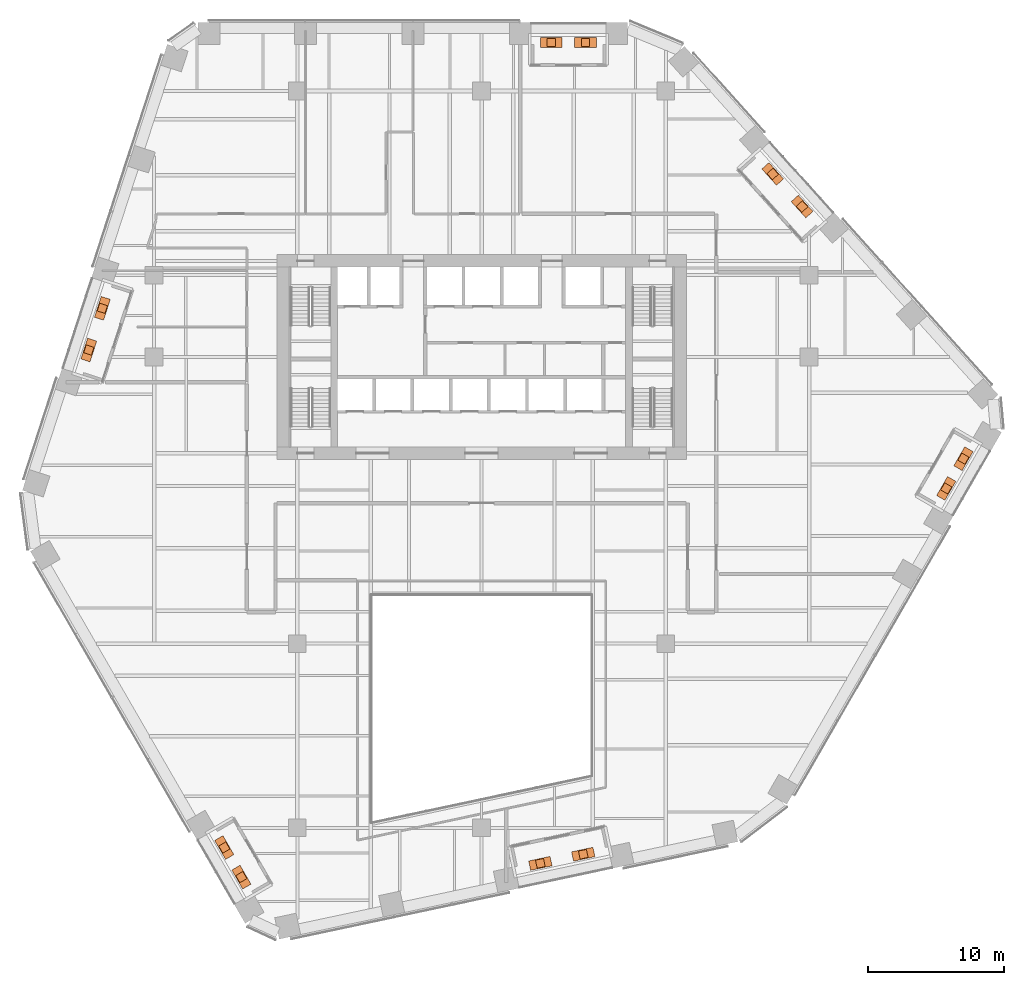
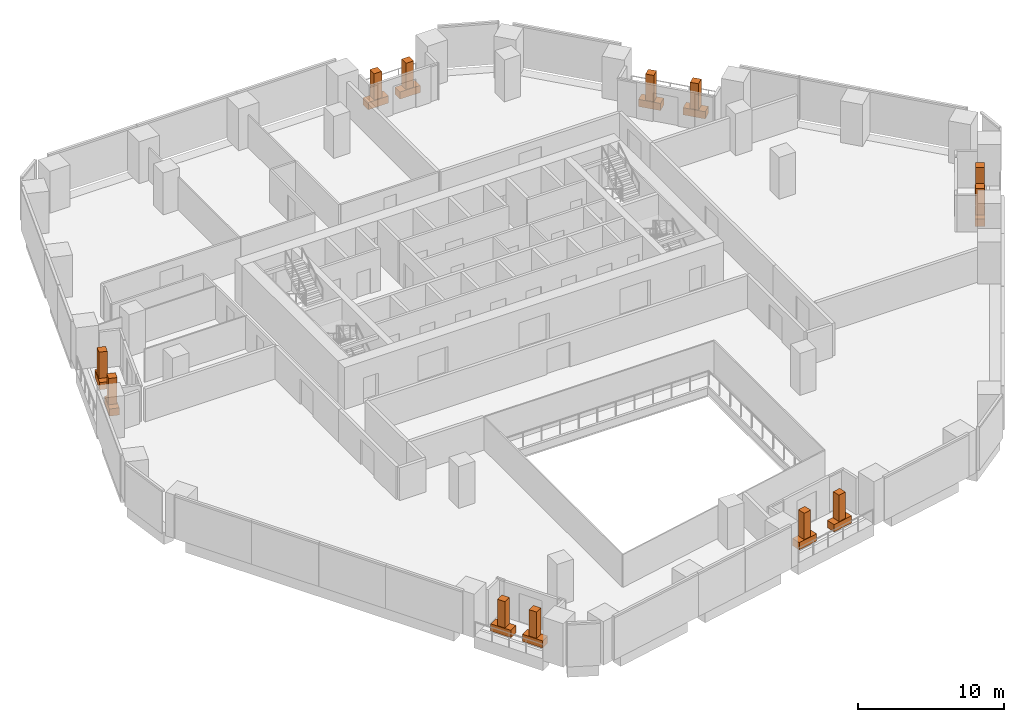
# One storey, part 28 of 28: 12 geographic elements, 12 proxies.
"""IFC4 building model written with IfcOpenShell, lengths in metres."""

import ifcopenshell
import ifcopenshell.guid

model = None  # the IFC model being written
_history = None  # IfcOwnerHistory: only IFC2X3 demands one
_inside = {}  # id of a spatial element -> (the spatial element, [elements in it])
_under = {}  # id of a project, library or spatial element -> (it, [spatial elements below it])
_declared = {}  # id of a project -> (the project, [libraries it declares])
_typed = {}  # id of a type object -> (the type object, [elements of that type])
_made_of = {}  # id of a material, layer set ... -> (it, [elements and type objects made of it])


def new_model(schema):
    """Start an empty IFC model of exactly this schema.

    Asked for "IFC4X3", IfcOpenShell would pick the latest addendum, in which some entities
    have other attributes; the version numbers below select the first issue.
    IFC2X3 requires an IfcOwnerHistory on every rooted entity: one is made here for all.
    """
    global model, _history
    if schema == "IFC4X3":
        model = ifcopenshell.file(schema_version=(4, 3, 0, 0))
    else:
        model = ifcopenshell.file(schema=schema)
    _inside.clear()
    _under.clear()
    _declared.clear()
    _typed.clear()
    _made_of.clear()
    _history = None
    if model.schema == "IFC2X3":
        org = make("IfcOrganization", Name="unknown")
        user = make(
            "IfcPersonAndOrganization",
            ThePerson=make("IfcPerson", FamilyName="unknown"),
            TheOrganization=org,
        )
        app = make(
            "IfcApplication",
            ApplicationDeveloper=org,
            Version="unknown",
            ApplicationFullName="unknown",
            ApplicationIdentifier="unknown",
        )
        _history = make(
            "IfcOwnerHistory",
            OwningUser=user,
            OwningApplication=app,
            ChangeAction="ADDED",
            CreationDate=0,
        )
    return model


def make(cls, **values):
    """One entity of the class cls with the attributes given. An attribute that is None is left unset."""
    return model.create_entity(
        cls, **{name: value for name, value in values.items() if value is not None}
    )


def rooted(cls, **values):
    """An entity with a GlobalId (a new one), such as an element, a storey or a relation."""
    return make(cls, GlobalId=ifcopenshell.guid.new(), OwnerHistory=_history, **values)


def si_unit(unit_type, name, prefix=None):
    """IfcSIUnit, for example si_unit("LENGTHUNIT", "METRE", prefix="MILLI")."""
    return make("IfcSIUnit", UnitType=unit_type, Prefix=prefix, Name=name)


def assignment(units):
    """IfcUnitAssignment: the units of a project."""
    return None if units is None else make("IfcUnitAssignment", Units=units)


def point(xyz):
    """IfcCartesianPoint."""
    return None if xyz is None else make("IfcCartesianPoint", Coordinates=xyz)


def direction(xyz):
    """IfcDirection."""
    return None if xyz is None else make("IfcDirection", DirectionRatios=xyz)


def frame(location, z_axis=None, x_axis=None):
    """IfcAxis2Placement3D, a coordinate frame: its origin and axes. An axis left out is left unset."""
    return make(
        "IfcAxis2Placement3D",
        Location=point(location),
        Axis=direction(z_axis),
        RefDirection=direction(x_axis),
    )


def frame_2d(location, x_axis=None):
    """IfcAxis2Placement2D, a coordinate frame in the plane: its origin and x axis."""
    return make(
        "IfcAxis2Placement2D", Location=point(location), RefDirection=direction(x_axis)
    )


def origin():
    """The frame at (0, 0, 0) with its axes left unset."""
    return frame((0.0, 0.0, 0.0))


def origin_2d():
    """The frame at (0, 0) in the plane with its x axis left unset."""
    return frame_2d((0.0, 0.0))


def place(relative_to, where):
    """IfcLocalPlacement: puts the frame where relative to a parent placement (None: the world)."""
    return make(
        "IfcLocalPlacement", PlacementRelTo=relative_to, RelativePlacement=where
    )


def context(
    kind, dimensions, precision=None, world=None, true_north=None, identifier=None
):
    """IfcGeometricRepresentationContext, for example the 3D "Model" context."""
    return make(
        "IfcGeometricRepresentationContext",
        ContextIdentifier=identifier,
        ContextType=kind,
        CoordinateSpaceDimension=dimensions,
        Precision=precision,
        WorldCoordinateSystem=world,
        TrueNorth=true_north,
    )


def subcontext(parent, identifier, kind, view, scale=None):
    """IfcGeometricRepresentationSubContext, for example "Body" below "Model"."""
    return make(
        "IfcGeometricRepresentationSubContext",
        ContextIdentifier=identifier,
        ContextType=kind,
        ParentContext=parent,
        TargetScale=scale,
        TargetView=view,
    )


def project(units=None, contexts=None):
    """IfcProject with its units and contexts."""
    return rooted(
        "IfcProject",
        Name="project",
        RepresentationContexts=contexts,
        UnitsInContext=assignment(units),
    )


def spatial(cls, under=None, at=None, **own):
    """A site, building, storey or space (cls), placed at a placement, below another one or the project."""
    s = rooted(cls, ObjectPlacement=at, **own)
    if under is not None:
        _under.setdefault(under.id(), (under, []))[1].append(s)
    return s


def profile(cls, at=None, kind="AREA", **sizes):
    """A parametric profile (cls). Its sizes go by their IFC names, for example OverallWidth=200.0."""
    return make(cls, ProfileType=kind, Position=at, **sizes)


def rectangle(**sizes):
    """IfcRectangleProfileDef."""
    return profile("IfcRectangleProfileDef", **sizes)


def extrude(swept, where, along, depth):
    """IfcExtrudedAreaSolid: the profile swept, set in the frame where, extruded along a direction by depth."""
    return make(
        "IfcExtrudedAreaSolid",
        SweptArea=swept,
        Position=where,
        ExtrudedDirection=direction(along),
        Depth=depth,
    )


def shape(context_of_items, identifier, shape_type, items):
    """IfcShapeRepresentation: the items that make up one representation, for example the "Body"."""
    return make(
        "IfcShapeRepresentation",
        ContextOfItems=context_of_items,
        RepresentationIdentifier=identifier,
        RepresentationType=shape_type,
        Items=items,
    )


def material(Name=None, Category=None):
    """IfcMaterial."""
    return make("IfcMaterial", Name=Name, Category=Category)


def made_of(thing, what):
    """Note that an element or type object is made of a material, layer set ...; save() writes the relation."""
    if what is not None:
        _made_of.setdefault(what.id(), (what, []))[1].append(thing)
    return thing


def type_object(cls, material=None, **own):
    """A type object (cls), such as IfcWallType, which elements share."""
    return made_of(rooted(cls, **own), material)


def element(
    cls,
    number,
    at=None,
    inside=None,
    cuts=None,
    type_object=None,
    material=None,
    context=None,
    identifier="Body",
    shape_type=None,
    held_by="IfcProductDefinitionShape",
    body=None,
    shapes=None,
    **own,
):
    """One element of the class cls, such as IfcWall. Its Tag is "e" and its number.

    at: its placement. inside: the storey or other place that contains it. cuts: it is an
    opening in that element (IfcRelVoidsElement). A single representation is given by context,
    identifier, shape_type and body (its items); several are given by shapes. held_by: the class
    of the entity that holds the representations. save() writes the other relations.
    """
    e = rooted(cls, Tag="e%d" % number, ObjectPlacement=at, **own)
    if body is not None:
        shapes = [shape(context, identifier, shape_type, body)]
    if shapes is not None:
        e.Representation = make(held_by, Representations=shapes)
    if inside is not None:
        _inside.setdefault(inside.id(), (inside, []))[1].append(e)
    if cuts is not None:
        rooted(
            "IfcRelVoidsElement", RelatingBuildingElement=cuts, RelatedOpeningElement=e
        )
    if type_object is not None:
        _typed.setdefault(type_object.id(), (type_object, []))[1].append(e)
    return made_of(e, material)


def aggregate(whole, parts):
    """IfcRelAggregates: a whole, such as a stair, and the parts it consists of."""
    return rooted("IfcRelAggregates", RelatingObject=whole, RelatedObjects=parts)


def save(model, path):
    """Write the relations noted so far, then the file.

    IfcRelAggregates (storeys below a building ...), IfcRelContainedInSpatialStructure (elements
    in a storey), IfcRelDefinesByType, IfcRelAssociatesMaterial and IfcRelDeclares: one each for
    every whole, place, type object, material and project.
    """
    for whole, parts in _under.values():
        aggregate(whole, parts)
    for where, things in _inside.values():
        rooted(
            "IfcRelContainedInSpatialStructure",
            RelatedElements=things,
            RelatingStructure=where,
        )
    for kind, things in _typed.values():
        rooted("IfcRelDefinesByType", RelatedObjects=things, RelatingType=kind)
    for what, things in _made_of.values():
        rooted("IfcRelAssociatesMaterial", RelatedObjects=things, RelatingMaterial=what)
    for by, libraries in _declared.values():
        rooted("IfcRelDeclares", RelatingContext=by, RelatedDefinitions=libraries)
    model.write(path)


model = new_model("IFC4")

# Units and contexts
model_context = context("Model", 3, precision=1e-05, world=origin(), true_north=direction((0.0, 1.0)))
body_context = subcontext(model_context, "Body", "Model", "MODEL_VIEW")
ifc_project = project(units=[si_unit("LENGTHUNIT", "METRE"), si_unit("AREAUNIT", "SQUARE_METRE"), si_unit("VOLUMEUNIT", "CUBIC_METRE"), si_unit("PLANEANGLEUNIT", "RADIAN"), si_unit("MASSUNIT", "GRAM", prefix="KILO")], contexts=[model_context])

# Site, building, storey
site_placement = place(None, origin())
site = spatial("IfcSite", under=ifc_project, at=site_placement, CompositionType="ELEMENT")
building_placement = place(site_placement, origin())
building = spatial("IfcBuilding", under=site, at=building_placement, Name="Isthmus Gate Tower", CompositionType="ELEMENT")
storey_placement = place(building_placement, frame((0.0, 0.0, 98.89990234375)))
storey = spatial("IfcBuildingStorey", under=building, at=storey_placement, Name="L23", CompositionType="ELEMENT", Elevation=98.89990234375)

# Geographic elements
ifc_material_1 = material(Name="Plant material, broadleaf tree")
geographic_element_type = type_object("IfcGeographicElementType", Name="BROADLEAF TREE 2200 HIGH", PredefinedType="USERDEFINED", material=ifc_material_1)
for number, where, z_axis, x_axis, name in (
    (1, (7.625, 30.550048828125, 0.60009765625), (0.0, 0.0, 1.0), (-1.0, 0.0, 0.0), "TREE"),
    (2, (5.109130859375, 30.550048828125, 0.60009765625), (0.0, 0.0, 1.0), (-1.0, 0.0, 0.0), "TREE"),
    (3, (-27.7890625, 11.073486328125, 0.60009765625), (0.0, 0.0, 1.0), (-0.309016994375, -0.951056516295, 0.0), "TREE"),
    (4, (-28.782470703125, 8.015625, 0.60009765625), (0.0, 0.0, 1.0), (-0.309016994375, -0.951056516295, 0.0), "TREE"),
    (5, (-18.85595703125, -28.440673828125, 0.60009765625), (0.0, 0.0, 1.0), (0.5, -0.866025403784, 0.0), "TREE"),
    (6, (-17.603759765625, -30.609130859375, 0.60009765625), (0.0, 0.0, 1.0), (0.5, -0.866025403784, 0.0), "TREE"),
    (7, (4.3046875, -29.6025390625, 0.60009765625), (0.0, 0.0, 1.0), (0.978147600734, 0.207911690818, 0.0), "TREE"),
    (8, (7.449462890625, -28.93408203125, 0.60009765625), (0.0, 0.0, 1.0), (0.978147600734, 0.207911690818, 0.0), "TREE"),
    (9, (34.048828125, -2.125732421875, 0.60009765625), (0.0, 0.0, 1.0), (0.5, 0.866025403784, 0.0), "TREE"),
    (10, (35.306884765625, 0.05322265625, 0.60009765625), (0.0, 0.0, 1.0), (0.5, 0.866025403784, 0.0), "TREE"),
    (11, (23.484375, 18.529296875, 0.60009765625), (0.0, 0.0, 1.0), (-0.669130606359, 0.743144825477, 0.0), "TREE"),
    (12, (21.3330078125, 20.91845703125, 0.60009765625), (0.0, 0.0, 1.0), (-0.669130606359, 0.743144825477, 0.0), "TREE"),
):
    element("IfcGeographicElement", number, at=place(storey_placement, frame(where, z_axis=z_axis, x_axis=x_axis)), inside=storey, type_object=geographic_element_type, Name=name, ObjectType="TREE", PredefinedType="USERDEFINED", context=body_context, shape_type="SweptSolid", body=[
        extrude(rectangle(XDim=0.60009765625, YDim=0.60009765625, at=origin_2d()), origin(), (0.0, 0.0, 1.0), 2.199951171875),
    ])

# Proxies
ifc_material_2 = material(Name="Concrete f'c 40 MPa", Category="concrete")
building_element_proxy_type = type_object("IfcBuildingElementProxyType", Name="CONCRETE PLANTER 1600 X 700 X 600", PredefinedType="USERDEFINED", material=ifc_material_2)
for number, where, z_axis, x_axis, name in (
    (13, (7.625, 30.550048828125, 0.0), (0.0, 0.0, 1.0), (-1.0, 0.0, 0.0), "PLANTER"),
    (14, (5.109130859375, 30.550048828125, 0.0), (0.0, 0.0, 1.0), (-1.0, 0.0, 0.0), "PLANTER"),
    (15, (-27.7890625, 11.073486328125, 0.0), (0.0, 0.0, 1.0), (-0.309016994375, -0.951056516295, 0.0), "PLANTER"),
    (16, (-28.782470703125, 8.015625, 0.0), (0.0, 0.0, 1.0), (-0.309016994375, -0.951056516295, 0.0), "PLANTER"),
    (17, (-18.85595703125, -28.440673828125, 0.0), (0.0, 0.0, 1.0), (0.5, -0.866025403784, 0.0), "PLANTER"),
    (18, (-17.603759765625, -30.609130859375, 0.0), (0.0, 0.0, 1.0), (0.5, -0.866025403784, 0.0), "PLANTER"),
    (19, (4.3046875, -29.6025390625, 0.0), (0.0, 0.0, 1.0), (0.978147600734, 0.207911690818, 0.0), "PLANTER"),
    (20, (7.449462890625, -28.93408203125, 0.0), (0.0, 0.0, 1.0), (0.978147600734, 0.207911690818, 0.0), "PLANTER"),
    (21, (34.048828125, -2.125732421875, 0.0), (0.0, 0.0, 1.0), (0.5, 0.866025403784, 0.0), "PLANTER"),
    (22, (35.306884765625, 0.05322265625, 0.0), (0.0, 0.0, 1.0), (0.5, 0.866025403784, 0.0), "PLANTER"),
    (23, (23.484375, 18.529296875, 0.0), (0.0, 0.0, 1.0), (-0.669130606359, 0.743144825477, 0.0), "PLANTER"),
    (24, (21.3330078125, 20.91845703125, 0.0), (0.0, 0.0, 1.0), (-0.669130606359, 0.743144825477, 0.0), "PLANTER"),
):
    element("IfcBuildingElementProxy", number, at=place(storey_placement, frame(where, z_axis=z_axis, x_axis=x_axis)), inside=storey, type_object=building_element_proxy_type, Name=name, ObjectType="PLANTER", PredefinedType="USERDEFINED", context=body_context, shape_type="SweptSolid", body=[
        extrude(rectangle(XDim=1.60009765625, YDim=0.699951171875, at=origin_2d()), origin(), (0.0, 0.0, 1.0), 0.60009765625),
    ])

save(model, "model.ifc")
